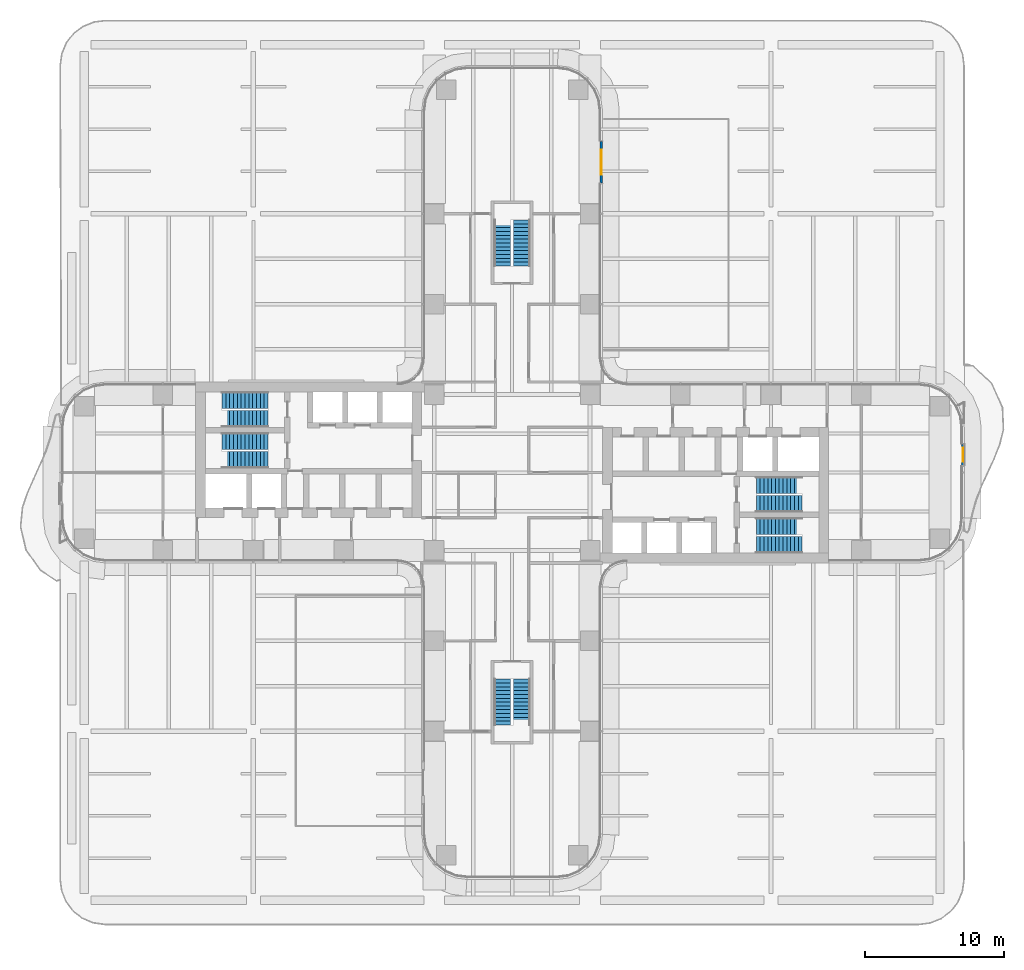
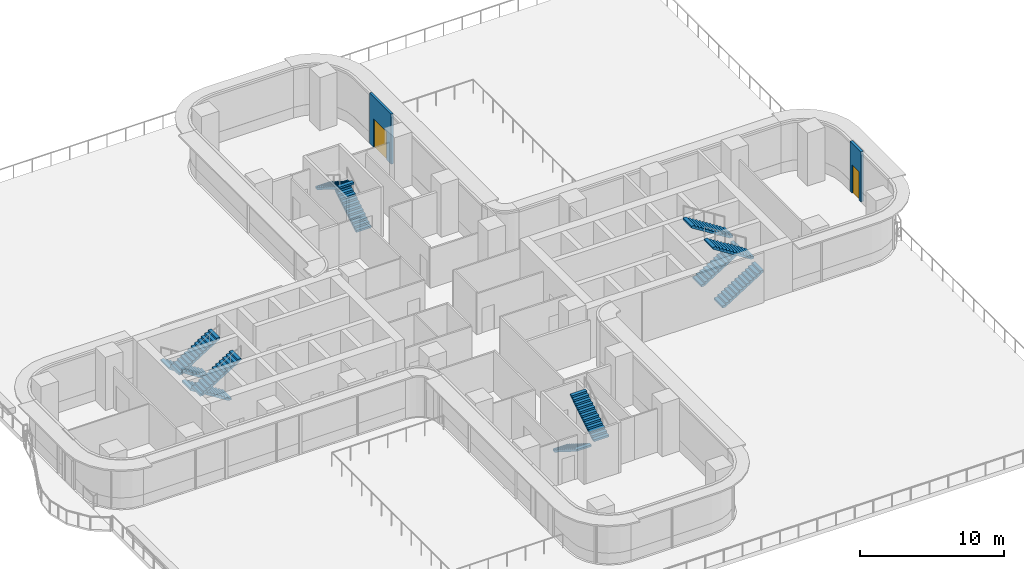
# One storey, part 24 of 29: 12 stair flights, 2 doors, 2 walls, 2 openings, 6 elements without a shape of their own.
"""IFC4 building model written with IfcOpenShell, lengths in metres."""

from ifc_helpers import new_model, si_unit, direction, frame, frame_2d, origin, place, context, subcontext, project, spatial, polyline, rectangle, outline, extrude, source, transform, mapped, material, layer, layer_set, type_object, element, fill, aggregate, save


model = new_model("IFC4")

# Units and contexts
model_context = context("Model", 3, precision=1e-05, world=origin(), true_north=direction((0.0, 1.0)))
body_context = subcontext(model_context, "Body", "Model", "MODEL_VIEW")
ifc_project = project(units=[si_unit("LENGTHUNIT", "METRE"), si_unit("AREAUNIT", "SQUARE_METRE"), si_unit("VOLUMEUNIT", "CUBIC_METRE"), si_unit("PLANEANGLEUNIT", "RADIAN"), si_unit("MASSUNIT", "GRAM", prefix="KILO")], contexts=[model_context])

# Site, building, storey
site_placement = place(None, origin())
site = spatial("IfcSite", under=ifc_project, at=site_placement, CompositionType="ELEMENT")
building_placement = place(site_placement, origin())
building = spatial("IfcBuilding", under=site, at=building_placement, Name="Trellis Farm Tower", CompositionType="ELEMENT")
storey_placement = place(building_placement, frame((0.0, 0.0, 34.0)))
storey = spatial("IfcBuildingStorey", under=building, at=storey_placement, Name="L06", CompositionType="ELEMENT", Elevation=34.0)

# Wall, opening, door
ifc_material_1 = material(Name="Sandstone faced insulated wall", Category="masonry")
ifc_layer = layer(ifc_material_1, 0.199951171875)
ifc_layer_set = layer_set([ifc_layer], Name="EXTERNAL INFILL WALL 200")
wall_type = type_object("IfcWallType", Name="EXTERNAL INFILL WALL 200", PredefinedType="SOLIDWALL", material=ifc_layer_set)
shared_shape_1 = source(origin(), body_context, "Body", "SweptSolid", [
    extrude(rectangle(XDim=3.0, YDim=0.199951171875, at=frame_2d((1.5, 0.0))), origin(), (0.0, 0.0, 1.0), 4.25),
])
wall_1_placement = place(storey_placement, frame((6.39990234375, 20.800048828125, 0.0), z_axis=(0.0, 0.0, 1.0), x_axis=(0.0, 1.0, 0.0)))
wall_1 = element("IfcWall", 1, at=wall_1_placement, inside=storey, type_object=wall_type, Name="EW1 03", PredefinedType="SOLIDWALL", context=body_context, shape_type="MappedRepresentation", body=[
    mapped(shared_shape_1, transform((0.0, 0.0, 0.0))),
])
shared_shape_2 = source(origin(), body_context, "Body", "SweptSolid", [
    extrude(rectangle(XDim=1.800048828125, YDim=2.39990234375, at=frame_2d((0.89990234375, 1.199951171875))), frame((0.0, 0.110107421875, 0.0), z_axis=(0.0, -1.0, 0.0), x_axis=(1.0, 0.0, 0.0)), (0.0, 0.0, 1.0), 0.22021484375),
])
opening_1_placement = place(wall_1_placement, frame((0.60009765625, 0.0, 0.0)))
opening_1 = element("IfcOpeningElement", 2, at=opening_1_placement, cuts=wall_1, Name="Opening ED1", PredefinedType="OPENING", context=body_context, shape_type="MappedRepresentation", body=[
    mapped(shared_shape_2, transform((0.0, 0.0, 0.0))),
])
ifc_material_2 = material(Name="Aluminium framed glazed door", Category="aluminium")
door_type_1 = type_object("IfcDoorType", Name="BALCONY DOOR 1800x2400", OperationType="DOUBLE_DOOR_SINGLE_SWING", PredefinedType="DOOR", material=ifc_material_2)
shared_shape_3 = source(origin(), body_context, "Body", "SweptSolid", [
    extrude(rectangle(XDim=1.800048828125, YDim=2.39990234375, at=frame_2d((0.89990234375, 1.199951171875))), frame((0.0, 0.02490234375, 0.0), z_axis=(0.0, -1.0, 0.0), x_axis=(1.0, 0.0, 0.0)), (0.0, 0.0, 1.0), 0.050048828125),
])
door_1_placement = place(opening_1_placement, origin())
door_1 = element("IfcDoor", 3, at=door_1_placement, inside=storey, type_object=door_type_1, Name="Balcony door", OperationType="DOUBLE_DOOR_SINGLE_SWING", OverallHeight=2.39990234375, OverallWidth=1.800048828125, PredefinedType="DOOR", context=body_context, shape_type="MappedRepresentation", body=[
    mapped(shared_shape_3, transform((0.0, 0.0, 0.0))),
])
fill(opening_1, door_1)

shared_shape_4 = source(origin(), body_context, "Body", "SweptSolid", [
    extrude(rectangle(XDim=1.5, YDim=0.199951171875, at=frame_2d((0.75, 0.0))), origin(), (0.0, 0.0, 1.0), 4.25),
])
wall_2_placement = place(storey_placement, frame((32.39990234375, 0.52001953125, 0.0), z_axis=(0.0, 0.0, 1.0), x_axis=(0.0, 1.0, 0.0)))
wall_2 = element("IfcWall", 4, at=wall_2_placement, inside=storey, type_object=wall_type, Name="EW1 02", PredefinedType="SOLIDWALL", context=body_context, shape_type="MappedRepresentation", body=[
    mapped(shared_shape_4, transform((0.0, 0.0, 0.0))),
])
shared_shape_5 = source(origin(), body_context, "Body", "SweptSolid", [
    extrude(rectangle(XDim=1.0, YDim=2.39990234375, at=frame_2d((0.5, 1.199951171875))), frame((0.0, 0.110107421875, 0.0), z_axis=(0.0, -1.0, 0.0), x_axis=(1.0, 0.0, 0.0)), (0.0, 0.0, 1.0), 0.22021484375),
])
opening_2_placement = place(wall_2_placement, frame((0.25, 0.0, 0.0)))
opening_2 = element("IfcOpeningElement", 5, at=opening_2_placement, cuts=wall_2, Name="Opening ED2", PredefinedType="OPENING", context=body_context, shape_type="MappedRepresentation", body=[
    mapped(shared_shape_5, transform((0.0, 0.0, 0.0))),
])
door_type_2 = type_object("IfcDoorType", Name="BALCONY DOOR 1000x2400", OperationType="SINGLE_SWING_LEFT", PredefinedType="DOOR", material=ifc_material_2)
shared_shape_6 = source(origin(), body_context, "Body", "SweptSolid", [
    extrude(rectangle(XDim=1.0, YDim=2.39990234375, at=frame_2d((0.5, 1.199951171875))), frame((0.0, 0.02490234375, 0.0), z_axis=(0.0, -1.0, 0.0), x_axis=(1.0, 0.0, 0.0)), (0.0, 0.0, 1.0), 0.050048828125),
])
door_2_placement = place(opening_2_placement, origin())
door_2 = element("IfcDoor", 6, at=door_2_placement, inside=storey, type_object=door_type_2, Name="Balcony door", OperationType="SINGLE_SWING_LEFT", OverallHeight=2.39990234375, OverallWidth=1.0, PredefinedType="DOOR", context=body_context, shape_type="MappedRepresentation", body=[
    mapped(shared_shape_6, transform((0.0, 0.0, 0.0))),
])
fill(opening_2, door_2)

# Stair, stair flights
ifc_material_3 = material(Name="Concrete C50/60", Category="concrete")
stair_type = type_object("IfcStairType", Name="CORE EXIT STAIR 26 RISERS 173 MM", PredefinedType="HALF_TURN_STAIR", material=ifc_material_3)
placement = place(storey_placement, origin())
stair_1 = element("IfcStair", 7, at=placement, inside=storey, type_object=stair_type, Name="Exit stair N", PredefinedType="HALF_TURN_STAIR")
stair_flight_type = type_object("IfcStairFlightType", Name="STAIR FLIGHT 13 RISERS 173 MM", PredefinedType="STRAIGHT", material=ifc_material_3)
shared_shape_7 = source(origin(), body_context, "Body", "SweptSolid", [
    extrude(outline(polyline([(0.0, 0.0), (0.0, 0.173095703125), (0.27490234375, 0.173095703125), (0.27490234375, 0.34619140625), (0.550048828125, 0.34619140625), (0.550048828125, 0.519287109375), (0.824951171875, 0.519287109375), (0.824951171875, 0.6923828125), (1.10009765625, 0.6923828125), (1.10009765625, 0.865478515625), (1.375, 0.865478515625), (1.375, 1.03857421875), (1.64990234375, 1.03857421875), (1.64990234375, 1.21142578125), (1.925048828125, 1.21142578125), (1.925048828125, 1.384521484375), (2.199951171875, 1.384521484375), (2.199951171875, 1.5576171875), (2.47509765625, 1.5576171875), (2.47509765625, 1.730712890625), (2.75, 1.730712890625), (2.75, 1.90380859375), (3.02490234375, 1.90380859375), (3.02490234375, 2.076904296875), (3.300048828125, 2.076904296875), (3.300048828125, 2.25), (3.300048828125, 1.92333984375), (0.243896484375, 0.0), (0.0, 0.0)])), frame((0.0, 0.60009765625, 0.0), z_axis=(0.0, -1.0, 0.0), x_axis=(1.0, 0.0, 0.0)), (0.0, 0.0, 1.0), 1.199951171875),
])
stair_flight_1_placement = place(storey_placement, frame((0.699951171875, 14.85009765625, 0.0), z_axis=(0.0, 0.0, 1.0), x_axis=(0.0, 1.0, 0.0)))
stair_flight_1 = element("IfcStairFlight", 8, at=stair_flight_1_placement, type_object=stair_flight_type, Name="STN flight 1", NumberOfRisers=13, NumberOfTreads=12, PredefinedType="STRAIGHT", RiserHeight=0.173076923, TreadLength=0.275, context=body_context, shape_type="MappedRepresentation", body=[
    mapped(shared_shape_7, transform((0.0, 0.0, 0.0))),
])
stair_flight_2_placement = place(storey_placement, frame((-0.699951171875, 18.14990234375, 2.25), z_axis=(0.0, 0.0, 1.0), x_axis=(0.0, -1.0, 0.0)))
stair_flight_2 = element("IfcStairFlight", 9, at=stair_flight_2_placement, type_object=stair_flight_type, Name="STN flight 2", NumberOfRisers=13, NumberOfTreads=12, PredefinedType="STRAIGHT", RiserHeight=0.173076923, TreadLength=0.275, context=body_context, shape_type="MappedRepresentation", body=[
    mapped(shared_shape_7, transform((0.0, 0.0, 0.0))),
])
aggregate(stair_1, [stair_flight_1, stair_flight_2])

stair_2 = element("IfcStair", 10, at=placement, inside=storey, type_object=stair_type, Name="Exit stair S", PredefinedType="HALF_TURN_STAIR")
stair_flight_3_placement = place(storey_placement, frame((-0.699951171875, -14.85009765625, 0.0), z_axis=(0.0, 0.0, 1.0), x_axis=(0.0, -1.0, 0.0)))
stair_flight_3 = element("IfcStairFlight", 11, at=stair_flight_3_placement, type_object=stair_flight_type, Name="STS flight 1", NumberOfRisers=13, NumberOfTreads=12, PredefinedType="STRAIGHT", RiserHeight=0.173076923, TreadLength=0.275, context=body_context, shape_type="MappedRepresentation", body=[
    mapped(shared_shape_7, transform((0.0, 0.0, 0.0))),
])
stair_flight_4_placement = place(storey_placement, frame((0.699951171875, -18.14990234375, 2.25), z_axis=(0.0, 0.0, 1.0), x_axis=(0.0, 1.0, 0.0)))
stair_flight_4 = element("IfcStairFlight", 12, at=stair_flight_4_placement, type_object=stair_flight_type, Name="STS flight 2", NumberOfRisers=13, NumberOfTreads=12, PredefinedType="STRAIGHT", RiserHeight=0.173076923, TreadLength=0.275, context=body_context, shape_type="MappedRepresentation", body=[
    mapped(shared_shape_7, transform((0.0, 0.0, 0.0))),
])
aggregate(stair_2, [stair_flight_3, stair_flight_4])

stair_3 = element("IfcStair", 13, at=placement, inside=storey, type_object=stair_type, Name="Exit stair E1", PredefinedType="HALF_TURN_STAIR")
stair_flight_5_placement = place(storey_placement, frame((17.550048828125, -5.199951171875, 0.0), z_axis=(0.0, 0.0, 1.0), x_axis=(1.0, 0.0, 0.0)))
stair_flight_5 = element("IfcStairFlight", 14, at=stair_flight_5_placement, type_object=stair_flight_type, Name="STE1 flight 1", NumberOfRisers=13, NumberOfTreads=12, PredefinedType="STRAIGHT", RiserHeight=0.173076923, TreadLength=0.275, context=body_context, shape_type="MappedRepresentation", body=[
    mapped(shared_shape_7, transform((0.0, 0.0, 0.0))),
])
stair_flight_6_placement = place(storey_placement, frame((20.85009765625, -3.85009765625, 2.25), z_axis=(0.0, 0.0, 1.0), x_axis=(-1.0, 0.0, 0.0)))
stair_flight_6 = element("IfcStairFlight", 15, at=stair_flight_6_placement, type_object=stair_flight_type, Name="STE1 flight 2", NumberOfRisers=13, NumberOfTreads=12, PredefinedType="STRAIGHT", RiserHeight=0.173076923, TreadLength=0.275, context=body_context, shape_type="MappedRepresentation", body=[
    mapped(shared_shape_7, transform((0.0, 0.0, 0.0))),
])
aggregate(stair_3, [stair_flight_5, stair_flight_6])

stair_4 = element("IfcStair", 16, at=placement, inside=storey, type_object=stair_type, Name="Exit stair E2", PredefinedType="HALF_TURN_STAIR")
stair_flight_7_placement = place(storey_placement, frame((17.550048828125, -2.25, 0.0), z_axis=(0.0, 0.0, 1.0), x_axis=(1.0, 0.0, 0.0)))
stair_flight_7 = element("IfcStairFlight", 17, at=stair_flight_7_placement, type_object=stair_flight_type, Name="STE2 flight 1", NumberOfRisers=13, NumberOfTreads=12, PredefinedType="STRAIGHT", RiserHeight=0.173076923, TreadLength=0.275, context=body_context, shape_type="MappedRepresentation", body=[
    mapped(shared_shape_7, transform((0.0, 0.0, 0.0))),
])
stair_flight_8_placement = place(storey_placement, frame((20.85009765625, -0.89990234375, 2.25), z_axis=(0.0, 0.0, 1.0), x_axis=(-1.0, 0.0, 0.0)))
stair_flight_8 = element("IfcStairFlight", 18, at=stair_flight_8_placement, type_object=stair_flight_type, Name="STE2 flight 2", NumberOfRisers=13, NumberOfTreads=12, PredefinedType="STRAIGHT", RiserHeight=0.173076923, TreadLength=0.275, context=body_context, shape_type="MappedRepresentation", body=[
    mapped(shared_shape_7, transform((0.0, 0.0, 0.0))),
])
aggregate(stair_4, [stair_flight_7, stair_flight_8])

stair_5 = element("IfcStair", 19, at=placement, inside=storey, type_object=stair_type, Name="Exit stair W1", PredefinedType="HALF_TURN_STAIR")
stair_flight_9_placement = place(storey_placement, frame((-17.550048828125, 5.199951171875, 0.0), z_axis=(0.0, 0.0, 1.0), x_axis=(-1.0, 0.0, 0.0)))
stair_flight_9 = element("IfcStairFlight", 20, at=stair_flight_9_placement, type_object=stair_flight_type, Name="STW1 flight 1", NumberOfRisers=13, NumberOfTreads=12, PredefinedType="STRAIGHT", RiserHeight=0.173076923, TreadLength=0.275, context=body_context, shape_type="MappedRepresentation", body=[
    mapped(shared_shape_7, transform((0.0, 0.0, 0.0))),
])
stair_flight_10_placement = place(storey_placement, frame((-20.85009765625, 3.85009765625, 2.25), z_axis=(0.0, 0.0, 1.0), x_axis=(1.0, 0.0, 0.0)))
stair_flight_10 = element("IfcStairFlight", 21, at=stair_flight_10_placement, type_object=stair_flight_type, Name="STW1 flight 2", NumberOfRisers=13, NumberOfTreads=12, PredefinedType="STRAIGHT", RiserHeight=0.173076923, TreadLength=0.275, context=body_context, shape_type="MappedRepresentation", body=[
    mapped(shared_shape_7, transform((0.0, 0.0, 0.0))),
])
aggregate(stair_5, [stair_flight_9, stair_flight_10])

stair_6 = element("IfcStair", 22, at=placement, inside=storey, type_object=stair_type, Name="Exit stair W2", PredefinedType="HALF_TURN_STAIR")
stair_flight_11_placement = place(storey_placement, frame((-17.550048828125, 2.25, 0.0), z_axis=(0.0, 0.0, 1.0), x_axis=(-1.0, 0.0, 0.0)))
stair_flight_11 = element("IfcStairFlight", 23, at=stair_flight_11_placement, type_object=stair_flight_type, Name="STW2 flight 1", NumberOfRisers=13, NumberOfTreads=12, PredefinedType="STRAIGHT", RiserHeight=0.173076923, TreadLength=0.275, context=body_context, shape_type="MappedRepresentation", body=[
    mapped(shared_shape_7, transform((0.0, 0.0, 0.0))),
])
stair_flight_12_placement = place(storey_placement, frame((-20.85009765625, 0.89990234375, 2.25), z_axis=(0.0, 0.0, 1.0), x_axis=(1.0, 0.0, 0.0)))
stair_flight_12 = element("IfcStairFlight", 24, at=stair_flight_12_placement, type_object=stair_flight_type, Name="STW2 flight 2", NumberOfRisers=13, NumberOfTreads=12, PredefinedType="STRAIGHT", RiserHeight=0.173076923, TreadLength=0.275, context=body_context, shape_type="MappedRepresentation", body=[
    mapped(shared_shape_7, transform((0.0, 0.0, 0.0))),
])
aggregate(stair_6, [stair_flight_11, stair_flight_12])

save(model, "model.ifc")
